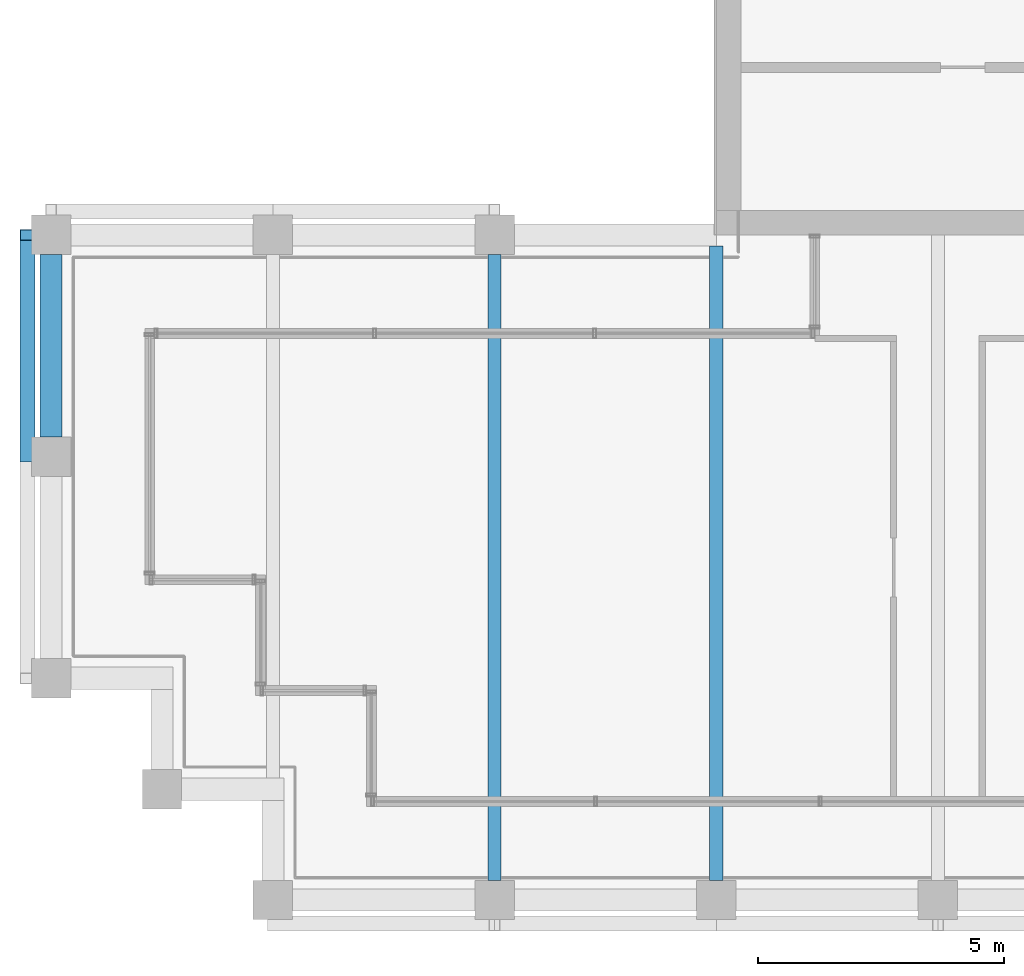
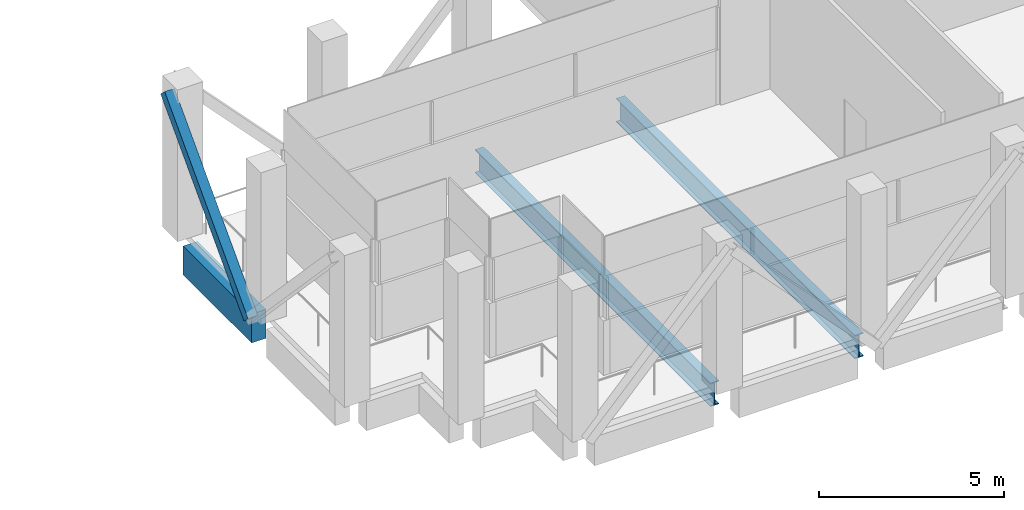
# One storey, part 3 of 21: 3 beams, 1 member.
"""IFC4 building model written with IfcOpenShell, lengths in metres."""

from ifc_helpers import new_model, si_unit, direction, frame, origin, origin_2d, place, context, subcontext, project, spatial, rectangle, hollow_rectangle, i_section, extrude, material, material_profile, profile_set, type_object, element, save


model = new_model("IFC4")

# Units and contexts
model_context = context("Model", 3, precision=1e-05, world=origin(), true_north=direction((0.0, 1.0)))
body_context = subcontext(model_context, "Body", "Model", "MODEL_VIEW")
ifc_project = project(units=[si_unit("LENGTHUNIT", "METRE"), si_unit("AREAUNIT", "SQUARE_METRE"), si_unit("VOLUMEUNIT", "CUBIC_METRE"), si_unit("PLANEANGLEUNIT", "RADIAN"), si_unit("MASSUNIT", "GRAM", prefix="KILO")], contexts=[model_context])

# Site, building, storey
site_placement = place(None, origin())
site = spatial("IfcSite", under=ifc_project, at=site_placement, CompositionType="ELEMENT")
building_placement = place(site_placement, origin())
building = spatial("IfcBuilding", under=site, at=building_placement, Name="Altepetl Exchange Towers", CompositionType="ELEMENT")
storey_placement = place(building_placement, frame((0.0, 0.0, 246.0)))
storey = spatial("IfcBuildingStorey", under=building, at=storey_placement, Name="L63 Refuge", CompositionType="ELEMENT", Elevation=246.0)

# Member
ifc_material_1 = material(Name="Steel S355", Category="steel")
ifc_material_profile_1 = material_profile(ifc_material_1, hollow_rectangle(XDim=0.304931640625, YDim=0.304931640625, WallThickness=0.01171875, at=origin_2d()), Name="HSS305X305X12.7")
ifc_profile_set_1 = profile_set([ifc_material_profile_1], Name="Steel S355")
member_type = type_object("IfcMemberType", Name="Belt diagonal HSS305X305X12.7", PredefinedType="BRACE", material=ifc_profile_set_1)
member_placement = place(storey_placement, frame((26.52001953125, 40.5, 4.75), z_axis=(0.0, -0.687744647911, -0.725952683906), x_axis=(1.0, 0.0, 0.0)))
element("IfcMember", 1, at=member_placement, inside=storey, type_object=member_type, Name="brc:A:L63:023", PredefinedType="BRACE", context=body_context, shape_type="SweptSolid", body=[
    extrude(hollow_rectangle(XDim=0.304931640625, YDim=0.304931640625, WallThickness=0.01171875, at=origin_2d()), origin(), (0.0, 0.0, 1.0), 6.543212890625),
])

# Beams
ifc_material_profile_2 = material_profile(ifc_material_1, i_section(OverallWidth=0.26806640625, OverallDepth=0.77392578125, WebThickness=0.015380859375, FlangeThickness=0.025390625, at=origin_2d()), Name="W30X132")
ifc_profile_set_2 = profile_set([ifc_material_profile_2], Name="Steel S355")
beam_type_1 = type_object("IfcBeamType", Name="Floor beam W30X132", PredefinedType="BEAM", material=ifc_profile_set_2)
beam_1_placement = place(storey_placement, frame((36.0, 27.39990234375, -0.5869140625), z_axis=(0.0, 1.0, 0.0), x_axis=(-1.0, 0.0, 0.0)))
element("IfcBeam", 2, at=beam_1_placement, inside=storey, type_object=beam_type_1, Name="bm:A:L63:013", PredefinedType="BEAM", context=body_context, shape_type="SweptSolid", body=[
    extrude(i_section(OverallWidth=0.26806640625, OverallDepth=0.77392578125, WebThickness=0.015380859375, FlangeThickness=0.025390625, at=origin_2d()), origin(), (0.0, 0.0, 1.0), 12.7001953125),
])
beam_2_placement = place(storey_placement, frame((40.5, 27.39990234375, -0.5869140625), z_axis=(0.0, 1.0, 0.0), x_axis=(-1.0, 0.0, 0.0)))
element("IfcBeam", 3, at=beam_2_placement, inside=storey, type_object=beam_type_1, Name="bm:A:L63:014", PredefinedType="BEAM", context=body_context, shape_type="SweptSolid", body=[
    extrude(i_section(OverallWidth=0.26806640625, OverallDepth=0.77392578125, WebThickness=0.015380859375, FlangeThickness=0.025390625, at=origin_2d()), origin(), (0.0, 0.0, 1.0), 12.875),
])
ifc_material_2 = material(Name="Concrete C50/60 precast with cantera blanca facing", Category="concrete")
ifc_material_profile_3 = material_profile(ifc_material_2, rectangle(XDim=0.449951171875, YDim=0.949951171875, at=origin_2d()), Name="450 x 950")
ifc_profile_set_3 = profile_set([ifc_material_profile_3], Name="Concrete C50/60 precast with cantera blanca facing")
beam_type_2 = type_object("IfcBeamType", Name="Spandrel beam 450x950 cantera blanca", PredefinedType="SPANDREL", material=ifc_profile_set_3)
beam_3_placement = place(storey_placement, frame((27.0, 40.10009765625, -0.675048828125), z_axis=(0.0, -1.0, 0.0), x_axis=(1.0, 0.0, 0.0)))
element("IfcBeam", 4, at=beam_3_placement, inside=storey, type_object=beam_type_2, Name="sp:A:L63:036", PredefinedType="SPANDREL", context=body_context, shape_type="SweptSolid", body=[
    extrude(rectangle(XDim=0.449951171875, YDim=0.949951171875, at=origin_2d()), origin(), (0.0, 0.0, 1.0), 3.7001953125),
])

save(model, "model.ifc")
